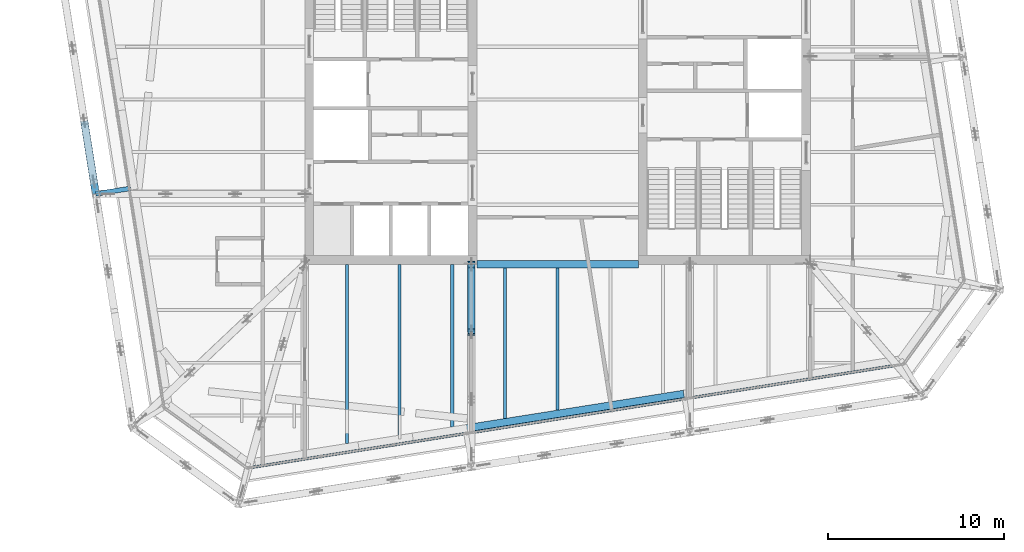
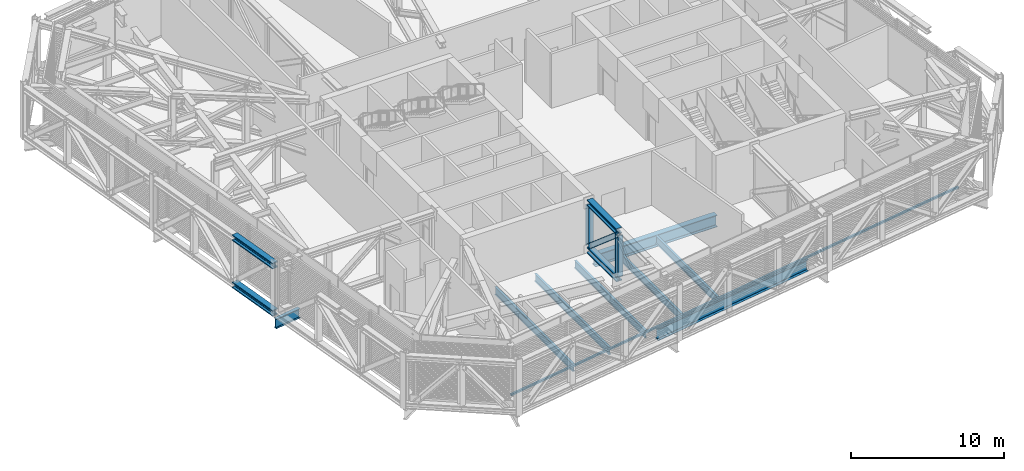
# One storey, part 4 of 32: 12 beams, 4 members, 1 element without a shape of its own.
"""IFC4 building model written with IfcOpenShell, lengths in metres."""

from ifc_helpers import new_model, si_unit, direction, frame, origin, origin_2d, place, context, subcontext, project, spatial, rectangle, i_section, extrude, material, layer, layer_set, material_profile, profile_set, type_object, element, aggregate, save


model = new_model("IFC4")

# Units and contexts
model_context = context("Model", 3, precision=1e-05, world=origin(), true_north=direction((0.0, 1.0)))
body_context = subcontext(model_context, "Body", "Model", "MODEL_VIEW")
ifc_project = project(units=[si_unit("LENGTHUNIT", "METRE"), si_unit("AREAUNIT", "SQUARE_METRE"), si_unit("VOLUMEUNIT", "CUBIC_METRE"), si_unit("PLANEANGLEUNIT", "RADIAN"), si_unit("MASSUNIT", "GRAM", prefix="KILO")], contexts=[model_context])

# Site, building, storey
site_placement = place(None, origin())
site = spatial("IfcSite", under=ifc_project, at=site_placement, CompositionType="ELEMENT")
building_placement = place(site_placement, origin())
building = spatial("IfcBuilding", under=site, at=building_placement, Name="Millrace Tower", CompositionType="ELEMENT")
storey_placement = place(building_placement, frame((0.0, 0.0, 266.89990234375)))
storey = spatial("IfcBuildingStorey", under=building, at=storey_placement, Name="L61", CompositionType="ELEMENT", Elevation=266.89990234375)

# Beams
ifc_material_1 = material(Name="Steel ASTM A992 Grade 50", Category="steel")
ifc_material_profile_1 = material_profile(ifc_material_1, i_section(OverallWidth=0.424072265625, OverallDepth=0.47509765625, WebThickness=0.0478515625, FlangeThickness=0.0771484375, FilletRadius=0.014892578125, at=origin_2d()))
ifc_profile_set_1 = profile_set([ifc_material_profile_1], Name="Steel ASTM A992 Grade 50")
beam_type_1 = type_object("IfcBeamType", Name="Belt truss chord W14x426", PredefinedType="BEAM", material=ifc_profile_set_1)
for number, where, z_axis, x_axis, name in (
    (1, (-26.963623046875, -1.235107421875, 0.237548828125), (0.156428225752, -0.987689328781, 0.0), (0.987689328781, 0.156428225752, 0.0), "BLT-L61-R15-B03"),
    (2, (-26.963623046875, -1.235107421875, 4.002685546875), (0.156428225752, -0.987689328781, 0.0), (0.987689328781, 0.156428225752, 0.0), "BLT-L61-R15-T03"),
):
    element("IfcBeam", number, at=place(storey_placement, frame(where, z_axis=z_axis, x_axis=x_axis)), inside=storey, type_object=beam_type_1, Name=name, PredefinedType="BEAM", context=body_context, shape_type="SweptSolid", body=[
        extrude(i_section(OverallWidth=0.424072265625, OverallDepth=0.47509765625, WebThickness=0.0478515625, FlangeThickness=0.0771484375, FilletRadius=0.014892578125, at=origin_2d()), origin(), (0.0, 0.0, 1.0), 4.199951171875),
    ])

# Curtain wall, member
ifc_material_2 = material(Name="Aluminium and glass", Category="aluminium")
ifc_layer = layer(ifc_material_2, 0.14990234375)
ifc_layer_set = layer_set([ifc_layer], Name="Aluminium and glass")
curtain_wall_type = type_object("IfcCurtainWallType", Name="CW-5 truss and plant storey louvred infill", PredefinedType="NOTDEFINED", material=ifc_layer_set)
curtain_wall_placement = place(storey_placement, origin())
curtain_wall = element("IfcCurtainWall", 3, at=curtain_wall_placement, inside=storey, type_object=curtain_wall_type, Name="Curtain wall D-F02 L61", PredefinedType="NOTDEFINED")
ifc_material_3 = material(Name="Aluminium", Category="aluminium")
ifc_material_profile_2 = material_profile(ifc_material_3, rectangle(XDim=0.14990234375, YDim=0.139892578125, at=origin_2d()))
ifc_profile_set_2 = profile_set([ifc_material_profile_2], Name="Aluminium")
member_type_1 = type_object("IfcMemberType", Name="CW-5 truss and plant storey louvred infill transom", PredefinedType="USERDEFINED", material=ifc_profile_set_2)
member_1_placement = place(storey_placement, frame((-17.558837890625, -20.98193359375, 0.070068359375), z_axis=(0.987687829698, 0.156437690685, 0.0), x_axis=(-0.156437690685, 0.987687829698, 0.0)))
member_1 = element("IfcMember", 4, at=member_1_placement, type_object=member_type_1, Name="CW5 transom D-F02.1", ObjectType="TRANSOM", PredefinedType="USERDEFINED", context=body_context, shape_type="SweptSolid", body=[
    extrude(rectangle(XDim=0.14990234375, YDim=0.139892578125, at=origin_2d()), origin(), (0.0, 0.0, 1.0), 37.60009765625),
])
aggregate(curtain_wall, [member_1])

# Beams
ifc_material_4 = material(Name="Steel ASTM A992 Grade 50", Category="steel")
ifc_material_profile_3 = material_profile(ifc_material_4, i_section(OverallWidth=0.177978515625, OverallDepth=0.599365234375, WebThickness=0.010009765625, FlangeThickness=0.012939453125, FilletRadius=0.012939453125, at=origin_2d()))
ifc_profile_set_3 = profile_set([ifc_material_profile_3], Name="Steel ASTM A992 Grade 50")
beam_type_2 = type_object("IfcBeamType", Name="Floor beam W24x55", PredefinedType="JOIST", material=ifc_profile_set_3)
beam_1_placement = place(storey_placement, frame((-9.0, -19.12353515625, -0.549560546875), z_axis=(0.0, 1.0, 0.0), x_axis=(-1.0, 0.0, 0.0)))
element("IfcBeam", 5, at=beam_1_placement, inside=storey, type_object=beam_type_2, Name="BM-D-L61-S1-S039", PredefinedType="JOIST", context=body_context, shape_type="SweptSolid", body=[
    extrude(i_section(OverallWidth=0.177978515625, OverallDepth=0.599365234375, WebThickness=0.010009765625, FlangeThickness=0.012939453125, FilletRadius=0.012939453125, at=origin_2d()), origin(), (0.0, 0.0, 1.0), 9.7236328125),
])
beam_2_placement = place(storey_placement, frame((-6.0, -18.648193359375, -0.549560546875), z_axis=(0.0, 1.0, 0.0), x_axis=(-1.0, 0.0, 0.0)))
element("IfcBeam", 6, at=beam_2_placement, inside=storey, type_object=beam_type_2, Name="BM-D-L61-S1-S041", PredefinedType="JOIST", context=body_context, shape_type="SweptSolid", body=[
    extrude(i_section(OverallWidth=0.177978515625, OverallDepth=0.599365234375, WebThickness=0.010009765625, FlangeThickness=0.012939453125, FilletRadius=0.012939453125, at=origin_2d()), origin(), (0.0, 0.0, 1.0), 9.248291015625),
])
beam_3_placement = place(storey_placement, frame((-3.0, -18.173095703125, -0.549560546875), z_axis=(0.0, 1.0, 0.0), x_axis=(-1.0, 0.0, 0.0)))
element("IfcBeam", 7, at=beam_3_placement, inside=storey, type_object=beam_type_2, Name="BM-D-L61-S1-S043", PredefinedType="JOIST", context=body_context, shape_type="SweptSolid", body=[
    extrude(i_section(OverallWidth=0.177978515625, OverallDepth=0.599365234375, WebThickness=0.010009765625, FlangeThickness=0.012939453125, FilletRadius=0.012939453125, at=origin_2d()), origin(), (0.0, 0.0, 1.0), 8.56103515625),
])
beam_4_placement = place(storey_placement, frame((0.0, -17.697998046875, -0.549560546875), z_axis=(0.0, 1.0, 0.0), x_axis=(-1.0, 0.0, 0.0)))
element("IfcBeam", 8, at=beam_4_placement, inside=storey, type_object=beam_type_2, Name="BM-D-L61-S1-S045", PredefinedType="JOIST", context=body_context, shape_type="SweptSolid", body=[
    extrude(i_section(OverallWidth=0.177978515625, OverallDepth=0.599365234375, WebThickness=0.010009765625, FlangeThickness=0.012939453125, FilletRadius=0.012939453125, at=origin_2d()), origin(), (0.0, 0.0, 1.0), 8.0859375),
])
ifc_material_5 = material(Name="Steel ASTM A992 Grade 50", Category="steel")
ifc_material_profile_4 = material_profile(ifc_material_5, i_section(OverallWidth=0.1787109375, OverallDepth=0.60205078125, WebThickness=0.010986328125, FlangeThickness=0.014892578125, FilletRadius=0.0126953125, at=origin_2d()))
ifc_profile_set_4 = profile_set([ifc_material_profile_4], Name="Steel ASTM A992 Grade 50")
beam_type_3 = type_object("IfcBeamType", Name="Floor beam W24x62", PredefinedType="JOIST", material=ifc_profile_set_4)
beam_5_placement = place(storey_placement, frame((-12.0, -19.5986328125, -0.55078125), z_axis=(0.0, 1.0, 0.0), x_axis=(-1.0, 0.0, 0.0)))
element("IfcBeam", 9, at=beam_5_placement, inside=storey, type_object=beam_type_3, Name="BM-D-L61-S1-S037", PredefinedType="JOIST", context=body_context, shape_type="SweptSolid", body=[
    extrude(i_section(OverallWidth=0.1787109375, OverallDepth=0.60205078125, WebThickness=0.010986328125, FlangeThickness=0.014892578125, FilletRadius=0.0126953125, at=origin_2d()), origin(), (0.0, 0.0, 1.0), 10.19873046875),
])
ifc_material_6 = material(Name="Steel ASTM A992 Grade 50", Category="steel")
ifc_material_profile_5 = material_profile(ifc_material_6, i_section(OverallWidth=0.424072265625, OverallDepth=0.947509765625, WebThickness=0.02392578125, FlangeThickness=0.042724609375, FilletRadius=0.024169921875, at=origin_2d()))
ifc_profile_set_5 = profile_set([ifc_material_profile_5], Name="Steel ASTM A992 Grade 50")
beam_type_4 = type_object("IfcBeamType", Name="Girder short span W36x302", PredefinedType="BEAM", material=ifc_profile_set_5)
beam_6_placement = place(storey_placement, frame((-4.60009765625, -9.39990234375, -0.7236328125), z_axis=(1.0, 0.0, 0.0), x_axis=(0.0, 1.0, 0.0)))
element("IfcBeam", 10, at=beam_6_placement, inside=storey, type_object=beam_type_4, Name="BM-D-L61-S1-G059", PredefinedType="BEAM", context=body_context, shape_type="SweptSolid", body=[
    extrude(i_section(OverallWidth=0.424072265625, OverallDepth=0.947509765625, WebThickness=0.02392578125, FlangeThickness=0.042724609375, FilletRadius=0.024169921875, at=origin_2d()), origin(), (0.0, 0.0, 1.0), 9.2001953125),
])
ifc_material_7 = material(Name="Steel ASTM A992 Grade 50", Category="steel")
ifc_material_profile_6 = material_profile(ifc_material_7, i_section(OverallWidth=0.2666015625, OverallDepth=0.7568359375, WebThickness=0.013916015625, FlangeThickness=0.019287109375, FilletRadius=0.0166015625, at=origin_2d()))
ifc_profile_set_6 = profile_set([ifc_material_profile_6], Name="Steel ASTM A992 Grade 50")
beam_type_5 = type_object("IfcBeamType", Name="Link beam W30x108", PredefinedType="BEAM", material=ifc_profile_set_6)
beam_7_placement = place(storey_placement, frame((-24.331298828125, -5.0703125, -0.62841796875), z_axis=(-0.987678691416, -0.156495375404, 0.0), x_axis=(0.156495375404, -0.987678691416, 0.0)))
element("IfcBeam", 11, at=beam_7_placement, inside=storey, type_object=beam_type_5, Name="LNK-D-L61-S1-02", PredefinedType="BEAM", context=body_context, shape_type="SweptSolid", body=[
    extrude(i_section(OverallWidth=0.2666015625, OverallDepth=0.7568359375, WebThickness=0.013916015625, FlangeThickness=0.019287109375, FilletRadius=0.0166015625, at=origin_2d()), origin(), (0.0, 0.0, 1.0), 2.0),
])
ifc_material_8 = material(Name="Steel ASTM A992 Grade 50", Category="steel")
ifc_material_profile_7 = material_profile(ifc_material_8, i_section(OverallWidth=0.424072265625, OverallDepth=0.47509765625, WebThickness=0.0478515625, FlangeThickness=0.0771484375, FilletRadius=0.014892578125, at=origin_2d()))
ifc_profile_set_7 = profile_set([ifc_material_profile_7], Name="Steel ASTM A992 Grade 50")
beam_type_6 = type_object("IfcBeamType", Name="Outrigger truss chord W14x426", PredefinedType="BEAM", material=ifc_profile_set_7)
for number, where, z_axis, x_axis, name in (
    (12, (-4.91162109375, -9.39990234375, 0.237548828125), (0.0, -1.0, 0.0), (1.0, 0.0, 0.0), "BLT-L61-O03-B01"),
    (13, (-4.91162109375, -9.39990234375, 4.002685546875), (0.0, -1.0, 0.0), (1.0, 0.0, 0.0), "BLT-L61-O03-T01"),
):
    element("IfcBeam", number, at=place(storey_placement, frame(where, z_axis=z_axis, x_axis=x_axis)), inside=storey, type_object=beam_type_6, Name=name, PredefinedType="BEAM", context=body_context, shape_type="SweptSolid", body=[
        extrude(i_section(OverallWidth=0.424072265625, OverallDepth=0.47509765625, WebThickness=0.0478515625, FlangeThickness=0.0771484375, FilletRadius=0.014892578125, at=origin_2d()), origin(), (0.0, 0.0, 1.0), 3.8427734375),
    ])

# Members
ifc_material_9 = material(Name="Steel ASTM A992 Grade 50", Category="steel")
ifc_material_profile_8 = material_profile(ifc_material_9, i_section(OverallWidth=0.398681640625, OverallDepth=0.385986328125, WebThickness=0.02099609375, FlangeThickness=0.033203125, FilletRadius=0.01513671875, at=origin_2d()))
ifc_profile_set_8 = profile_set([ifc_material_profile_8], Name="Steel ASTM A992 Grade 50")
member_type_2 = type_object("IfcMemberType", Name="Outrigger truss diagonal W14x176", PredefinedType="BRACE", material=ifc_profile_set_8)
member_2_placement = place(storey_placement, frame((-4.91162109375, -9.39990234375, 0.47509765625), z_axis=(0.0, -0.759624398374, 0.65036203256), x_axis=(1.0, 0.0, 0.0)))
element("IfcMember", 14, at=member_2_placement, inside=storey, type_object=member_type_2, Name="BLT-L61-O03-D01", PredefinedType="BRACE", context=body_context, shape_type="SweptSolid", body=[
    extrude(i_section(OverallWidth=0.398681640625, OverallDepth=0.385986328125, WebThickness=0.02099609375, FlangeThickness=0.033203125, FilletRadius=0.01513671875, at=origin_2d()), origin(), (0.0, 0.0, 1.0), 5.058837890625),
])
ifc_material_10 = material(Name="Steel ASTM A992 Grade 50", Category="steel")
ifc_material_profile_9 = material_profile(ifc_material_10, i_section(OverallWidth=0.393798828125, OverallDepth=0.3759765625, WebThickness=0.017333984375, FlangeThickness=0.027587890625, FilletRadius=0.01513671875, at=origin_2d()))
ifc_profile_set_9 = profile_set([ifc_material_profile_9], Name="Steel ASTM A992 Grade 50")
member_type_3 = type_object("IfcMemberType", Name="Outrigger truss post W14x145", PredefinedType="POST", material=ifc_profile_set_9)
for number, where, z_axis, x_axis, name in (
    (15, (-4.91162109375, -9.39990234375, 0.47509765625), (0.0, 0.0, 1.0), (1.0, 0.0, 0.0), "BLT-L61-O03-V00"),
    (16, (-4.91162109375, -13.24267578125, 0.47509765625), (0.0, 0.0, 1.0), (1.0, 0.0, 0.0), "BLT-L61-O03-V01"),
):
    element("IfcMember", number, at=place(storey_placement, frame(where, z_axis=z_axis, x_axis=x_axis)), inside=storey, type_object=member_type_3, Name=name, PredefinedType="POST", context=body_context, shape_type="SweptSolid", body=[
        extrude(i_section(OverallWidth=0.393798828125, OverallDepth=0.3759765625, WebThickness=0.017333984375, FlangeThickness=0.027587890625, FilletRadius=0.01513671875, at=origin_2d()), origin(), (0.0, 0.0, 1.0), 3.2900390625),
    ])

# Beam
ifc_material_11 = material(Name="Steel ASTM A992 Grade 50", Category="steel")
ifc_material_profile_10 = material_profile(ifc_material_11, i_section(OverallWidth=0.421630859375, OverallDepth=0.937255859375, WebThickness=0.021240234375, FlangeThickness=0.03662109375, FilletRadius=0.024169921875, at=origin_2d()))
ifc_profile_set_10 = profile_set([ifc_material_profile_10], Name="Steel ASTM A992 Grade 50")
beam_type_7 = type_object("IfcBeamType", Name="Ring beam medium span W36x262", PredefinedType="SPANDREL", material=ifc_profile_set_10)
beam_8_placement = place(storey_placement, frame((7.1875, -16.77294921875, -0.718505859375), z_axis=(-0.987686809102, -0.1564441342, 0.0), x_axis=(0.1564441342, -0.987686809102, 0.0)))
element("IfcBeam", 17, at=beam_8_placement, inside=storey, type_object=beam_type_7, Name="RNG-D-L61-S1-14", PredefinedType="SPANDREL", context=body_context, shape_type="SweptSolid", body=[
    extrude(i_section(OverallWidth=0.421630859375, OverallDepth=0.937255859375, WebThickness=0.021240234375, FlangeThickness=0.03662109375, FilletRadius=0.024169921875, at=origin_2d()), origin(), (0.0, 0.0, 1.0), 12.599853515625),
])

save(model, "model.ifc")
